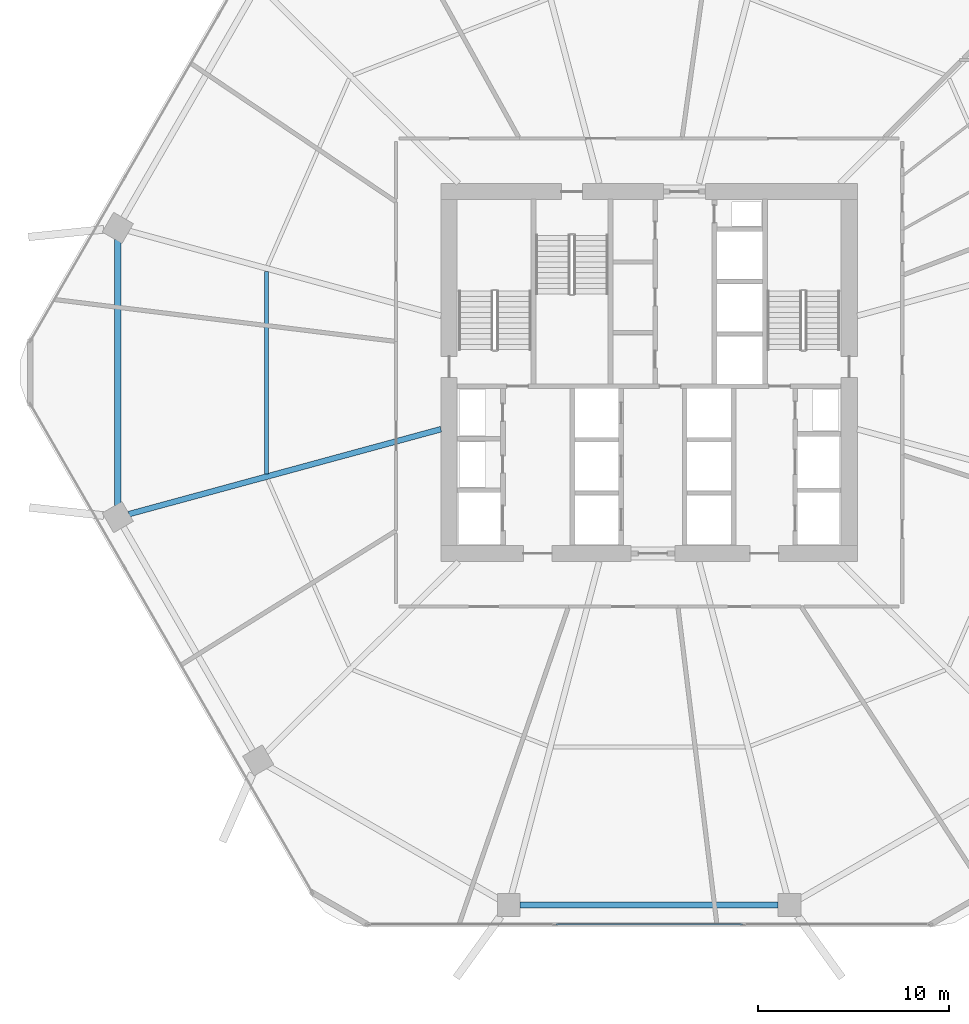
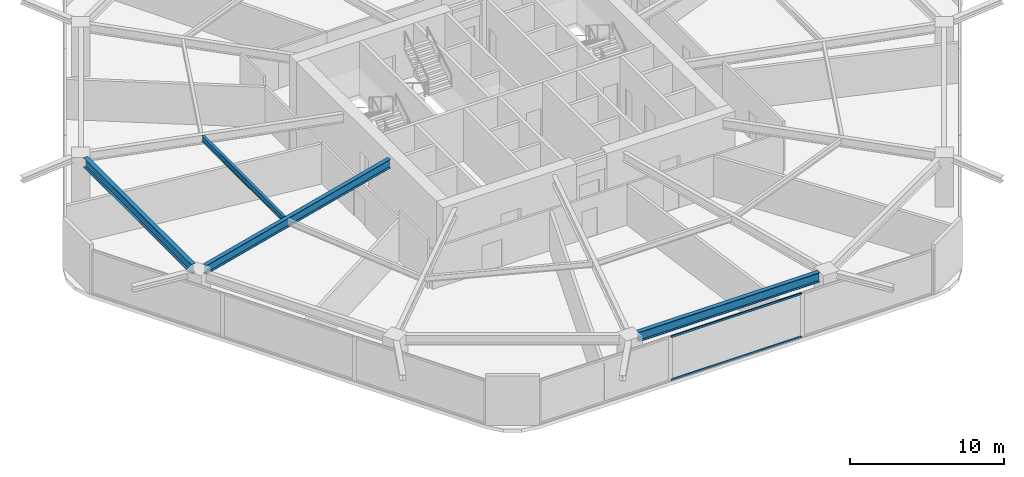
# One storey, part 6 of 25: 4 beams, 2 members, 1 element without a shape of its own.
"""IFC4 building model written with IfcOpenShell, lengths in metres."""

import ifcopenshell
import ifcopenshell.guid

model = None  # the IFC model being written
_history = None  # IfcOwnerHistory: only IFC2X3 demands one
_inside = {}  # id of a spatial element -> (the spatial element, [elements in it])
_under = {}  # id of a project, library or spatial element -> (it, [spatial elements below it])
_declared = {}  # id of a project -> (the project, [libraries it declares])
_typed = {}  # id of a type object -> (the type object, [elements of that type])
_made_of = {}  # id of a material, layer set ... -> (it, [elements and type objects made of it])


def new_model(schema):
    """Start an empty IFC model of exactly this schema.

    Asked for "IFC4X3", IfcOpenShell would pick the latest addendum, in which some entities
    have other attributes; the version numbers below select the first issue.
    IFC2X3 requires an IfcOwnerHistory on every rooted entity: one is made here for all.
    """
    global model, _history
    if schema == "IFC4X3":
        model = ifcopenshell.file(schema_version=(4, 3, 0, 0))
    else:
        model = ifcopenshell.file(schema=schema)
    _inside.clear()
    _under.clear()
    _declared.clear()
    _typed.clear()
    _made_of.clear()
    _history = None
    if model.schema == "IFC2X3":
        org = make("IfcOrganization", Name="unknown")
        user = make(
            "IfcPersonAndOrganization",
            ThePerson=make("IfcPerson", FamilyName="unknown"),
            TheOrganization=org,
        )
        app = make(
            "IfcApplication",
            ApplicationDeveloper=org,
            Version="unknown",
            ApplicationFullName="unknown",
            ApplicationIdentifier="unknown",
        )
        _history = make(
            "IfcOwnerHistory",
            OwningUser=user,
            OwningApplication=app,
            ChangeAction="ADDED",
            CreationDate=0,
        )
    return model


def make(cls, **values):
    """One entity of the class cls with the attributes given. An attribute that is None is left unset."""
    return model.create_entity(
        cls, **{name: value for name, value in values.items() if value is not None}
    )


def rooted(cls, **values):
    """An entity with a GlobalId (a new one), such as an element, a storey or a relation."""
    return make(cls, GlobalId=ifcopenshell.guid.new(), OwnerHistory=_history, **values)


def si_unit(unit_type, name, prefix=None):
    """IfcSIUnit, for example si_unit("LENGTHUNIT", "METRE", prefix="MILLI")."""
    return make("IfcSIUnit", UnitType=unit_type, Prefix=prefix, Name=name)


def assignment(units):
    """IfcUnitAssignment: the units of a project."""
    return None if units is None else make("IfcUnitAssignment", Units=units)


def point(xyz):
    """IfcCartesianPoint."""
    return None if xyz is None else make("IfcCartesianPoint", Coordinates=xyz)


def direction(xyz):
    """IfcDirection."""
    return None if xyz is None else make("IfcDirection", DirectionRatios=xyz)


def frame(location, z_axis=None, x_axis=None):
    """IfcAxis2Placement3D, a coordinate frame: its origin and axes. An axis left out is left unset."""
    return make(
        "IfcAxis2Placement3D",
        Location=point(location),
        Axis=direction(z_axis),
        RefDirection=direction(x_axis),
    )


def frame_2d(location, x_axis=None):
    """IfcAxis2Placement2D, a coordinate frame in the plane: its origin and x axis."""
    return make(
        "IfcAxis2Placement2D", Location=point(location), RefDirection=direction(x_axis)
    )


def origin():
    """The frame at (0, 0, 0) with its axes left unset."""
    return frame((0.0, 0.0, 0.0))


def origin_2d():
    """The frame at (0, 0) in the plane with its x axis left unset."""
    return frame_2d((0.0, 0.0))


def place(relative_to, where):
    """IfcLocalPlacement: puts the frame where relative to a parent placement (None: the world)."""
    return make(
        "IfcLocalPlacement", PlacementRelTo=relative_to, RelativePlacement=where
    )


def context(
    kind, dimensions, precision=None, world=None, true_north=None, identifier=None
):
    """IfcGeometricRepresentationContext, for example the 3D "Model" context."""
    return make(
        "IfcGeometricRepresentationContext",
        ContextIdentifier=identifier,
        ContextType=kind,
        CoordinateSpaceDimension=dimensions,
        Precision=precision,
        WorldCoordinateSystem=world,
        TrueNorth=true_north,
    )


def subcontext(parent, identifier, kind, view, scale=None):
    """IfcGeometricRepresentationSubContext, for example "Body" below "Model"."""
    return make(
        "IfcGeometricRepresentationSubContext",
        ContextIdentifier=identifier,
        ContextType=kind,
        ParentContext=parent,
        TargetScale=scale,
        TargetView=view,
    )


def project(units=None, contexts=None):
    """IfcProject with its units and contexts."""
    return rooted(
        "IfcProject",
        Name="project",
        RepresentationContexts=contexts,
        UnitsInContext=assignment(units),
    )


def spatial(cls, under=None, at=None, **own):
    """A site, building, storey or space (cls), placed at a placement, below another one or the project."""
    s = rooted(cls, ObjectPlacement=at, **own)
    if under is not None:
        _under.setdefault(under.id(), (under, []))[1].append(s)
    return s


def profile(cls, at=None, kind="AREA", **sizes):
    """A parametric profile (cls). Its sizes go by their IFC names, for example OverallWidth=200.0."""
    return make(cls, ProfileType=kind, Position=at, **sizes)


def hollow_rectangle(**sizes):
    """IfcRectangleHollowProfileDef."""
    return profile("IfcRectangleHollowProfileDef", **sizes)


def i_section(**sizes):
    """IfcIShapeProfileDef."""
    return profile("IfcIShapeProfileDef", **sizes)


def extrude(swept, where, along, depth):
    """IfcExtrudedAreaSolid: the profile swept, set in the frame where, extruded along a direction by depth."""
    return make(
        "IfcExtrudedAreaSolid",
        SweptArea=swept,
        Position=where,
        ExtrudedDirection=direction(along),
        Depth=depth,
    )


def shape(context_of_items, identifier, shape_type, items):
    """IfcShapeRepresentation: the items that make up one representation, for example the "Body"."""
    return make(
        "IfcShapeRepresentation",
        ContextOfItems=context_of_items,
        RepresentationIdentifier=identifier,
        RepresentationType=shape_type,
        Items=items,
    )


def material(Name=None, Category=None):
    """IfcMaterial."""
    return make("IfcMaterial", Name=Name, Category=Category)


def material_profile(
    of_material, cross_section, Name=None, Category=None, Priority=None
):
    """IfcMaterialProfile: a cross section and its material."""
    return make(
        "IfcMaterialProfile",
        Name=Name,
        Material=of_material,
        Profile=cross_section,
        Priority=Priority,
        Category=Category,
    )


def profile_set(profiles, Name=None, composite=None):
    """IfcMaterialProfileSet."""
    return make(
        "IfcMaterialProfileSet",
        Name=Name,
        MaterialProfiles=profiles,
        CompositeProfile=composite,
    )


def made_of(thing, what):
    """Note that an element or type object is made of a material, layer set ...; save() writes the relation."""
    if what is not None:
        _made_of.setdefault(what.id(), (what, []))[1].append(thing)
    return thing


def type_object(cls, material=None, **own):
    """A type object (cls), such as IfcWallType, which elements share."""
    return made_of(rooted(cls, **own), material)


def element(
    cls,
    number,
    at=None,
    inside=None,
    cuts=None,
    type_object=None,
    material=None,
    context=None,
    identifier="Body",
    shape_type=None,
    held_by="IfcProductDefinitionShape",
    body=None,
    shapes=None,
    **own,
):
    """One element of the class cls, such as IfcWall. Its Tag is "e" and its number.

    at: its placement. inside: the storey or other place that contains it. cuts: it is an
    opening in that element (IfcRelVoidsElement). A single representation is given by context,
    identifier, shape_type and body (its items); several are given by shapes. held_by: the class
    of the entity that holds the representations. save() writes the other relations.
    """
    e = rooted(cls, Tag="e%d" % number, ObjectPlacement=at, **own)
    if body is not None:
        shapes = [shape(context, identifier, shape_type, body)]
    if shapes is not None:
        e.Representation = make(held_by, Representations=shapes)
    if inside is not None:
        _inside.setdefault(inside.id(), (inside, []))[1].append(e)
    if cuts is not None:
        rooted(
            "IfcRelVoidsElement", RelatingBuildingElement=cuts, RelatedOpeningElement=e
        )
    if type_object is not None:
        _typed.setdefault(type_object.id(), (type_object, []))[1].append(e)
    return made_of(e, material)


def aggregate(whole, parts):
    """IfcRelAggregates: a whole, such as a stair, and the parts it consists of."""
    return rooted("IfcRelAggregates", RelatingObject=whole, RelatedObjects=parts)


def save(model, path):
    """Write the relations noted so far, then the file.

    IfcRelAggregates (storeys below a building ...), IfcRelContainedInSpatialStructure (elements
    in a storey), IfcRelDefinesByType, IfcRelAssociatesMaterial and IfcRelDeclares: one each for
    every whole, place, type object, material and project.
    """
    for whole, parts in _under.values():
        aggregate(whole, parts)
    for where, things in _inside.values():
        rooted(
            "IfcRelContainedInSpatialStructure",
            RelatedElements=things,
            RelatingStructure=where,
        )
    for kind, things in _typed.values():
        rooted("IfcRelDefinesByType", RelatedObjects=things, RelatingType=kind)
    for what, things in _made_of.values():
        rooted("IfcRelAssociatesMaterial", RelatedObjects=things, RelatingMaterial=what)
    for by, libraries in _declared.values():
        rooted("IfcRelDeclares", RelatingContext=by, RelatedDefinitions=libraries)
    model.write(path)


model = new_model("IFC4")

# Units and contexts
model_context = context("Model", 3, precision=1e-05, world=origin(), true_north=direction((0.0, 1.0)))
body_context = subcontext(model_context, "Body", "Model", "MODEL_VIEW")
ifc_project = project(units=[si_unit("LENGTHUNIT", "METRE"), si_unit("AREAUNIT", "SQUARE_METRE"), si_unit("VOLUMEUNIT", "CUBIC_METRE"), si_unit("PLANEANGLEUNIT", "RADIAN"), si_unit("MASSUNIT", "GRAM", prefix="KILO")], contexts=[model_context])

# Site, building, storey
site_placement = place(None, origin())
site = spatial("IfcSite", under=ifc_project, at=site_placement, CompositionType="ELEMENT")
building_placement = place(site_placement, origin())
building = spatial("IfcBuilding", under=site, at=building_placement, Name="Zuhravey Tower", CompositionType="ELEMENT")
storey_placement = place(building_placement, frame((0.0, 0.0, 20.39990234375)))
storey = spatial("IfcBuildingStorey", under=building, at=storey_placement, Name="L05", CompositionType="ELEMENT", Elevation=20.39990234375)

# Curtain wall, members
ifc_material_1 = material(Name="Thermally broken anodised aluminium", Category="aluminium")
curtain_wall_type = type_object("IfcCurtainWallType", Name="School Low-E Unitised Curtain Wall CW1", PredefinedType="NOTDEFINED", material=ifc_material_1)
curtain_wall_placement = place(storey_placement, origin())
curtain_wall = element("IfcCurtainWall", 1, at=curtain_wall_placement, inside=storey, type_object=curtain_wall_type, Name="L05 CW1 CW-L05-F5-1", PredefinedType="NOTDEFINED")
ifc_material_2 = material(Name="Anodised aluminium", Category="aluminium")
ifc_material_profile_1 = material_profile(ifc_material_2, hollow_rectangle(XDim=0.090087890625, YDim=0.14990234375, WallThickness=0.0048828125, at=origin_2d()), Name="ALU-RHS-90x150x5")
ifc_profile_set_1 = profile_set([ifc_material_profile_1], Name="Anodised aluminium")
member_type = type_object("IfcMemberType", Name="Curtain-Wall Transom 90x150", PredefinedType="USERDEFINED", material=ifc_profile_set_1)
member_1_placement = place(storey_placement, frame((40.88818359375, 3.04150390625, 0.045166015625), z_axis=(-1.0, 0.0, 0.0), x_axis=(0.0, -1.0, 0.0)))
member_1 = element("IfcMember", 2, at=member_1_placement, type_object=member_type, Name="CW1 transom 2.1", ObjectType="TRANSOM", PredefinedType="USERDEFINED", context=body_context, shape_type="SweptSolid", body=[
    extrude(hollow_rectangle(XDim=0.090087890625, YDim=0.14990234375, WallThickness=0.0048828125, at=origin_2d()), origin(), (0.0, 0.0, 1.0), 9.7763671875),
])
member_2_placement = place(storey_placement, frame((40.88818359375, 3.04150390625, 3.447021484375), z_axis=(-1.0, 0.0, 0.0), x_axis=(0.0, -1.0, 0.0)))
member_2 = element("IfcMember", 3, at=member_2_placement, type_object=member_type, Name="CW1 transom 2.2", ObjectType="TRANSOM", PredefinedType="USERDEFINED", context=body_context, shape_type="SweptSolid", body=[
    extrude(hollow_rectangle(XDim=0.090087890625, YDim=0.14990234375, WallThickness=0.0048828125, at=origin_2d()), origin(), (0.0, 0.0, 1.0), 9.7763671875),
])
aggregate(curtain_wall, [member_1, member_2])

# Beams
ifc_material_3 = material(Name="Steel SM355", Category="steel")
ifc_material_profile_2 = material_profile(ifc_material_3, i_section(OverallWidth=0.320068359375, OverallDepth=0.75, WebThickness=0.013916015625, FlangeThickness=0.02490234375, at=origin_2d()), Name="H-750x320x14x25")
ifc_profile_set_2 = profile_set([ifc_material_profile_2], Name="Steel SM355")
beam_type_1 = type_object("IfcBeamType", Name="Perimeter Ring Beam H750x320", PredefinedType="BEAM", material=ifc_profile_set_2)
beam_1_placement = place(storey_placement, frame((8.11083984375, 38.988525390625, 3.545166015625), z_axis=(0.0, -1.0, 0.0), x_axis=(1.0, 0.0, 0.0)))
element("IfcBeam", 4, at=beam_1_placement, inside=storey, type_object=beam_type_1, Name="L05 PB1 BM-L05-PB-06", PredefinedType="BEAM", context=body_context, shape_type="SweptSolid", body=[
    extrude(i_section(OverallWidth=0.320068359375, OverallDepth=0.75, WebThickness=0.013916015625, FlangeThickness=0.02490234375, at=origin_2d()), origin(), (0.0, 0.0, 1.0), 13.97705078125),
])
beam_2_placement = place(storey_placement, frame((29.23291015625, 4.051513671875, 3.545166015625), z_axis=(1.0, 0.0, 0.0), x_axis=(0.0, 1.0, 0.0)))
element("IfcBeam", 5, at=beam_2_placement, inside=storey, type_object=beam_type_1, Name="L05 PB1 BM-L05-PB-09", PredefinedType="BEAM", context=body_context, shape_type="SweptSolid", body=[
    extrude(i_section(OverallWidth=0.320068359375, OverallDepth=0.75, WebThickness=0.013916015625, FlangeThickness=0.02490234375, at=origin_2d()), origin(), (0.0, 0.0, 1.0), 13.5341796875),
])
ifc_material_profile_3 = material_profile(ifc_material_3, i_section(OverallWidth=0.300048828125, OverallDepth=0.699951171875, WebThickness=0.012939453125, FlangeThickness=0.02392578125, at=origin_2d()), Name="H-700x300x13x24")
ifc_profile_set_3 = profile_set([ifc_material_profile_3], Name="Steel SM355")
beam_type_2 = type_object("IfcBeamType", Name="Radial Primary Girder H700x300", PredefinedType="BEAM", material=ifc_profile_set_3)
beam_3_placement = place(storey_placement, frame((25.072021484375, 29.025390625, 3.570068359375), z_axis=(-0.964892480455, -0.26264520015, 0.0), x_axis=(0.26264520015, -0.964892480455, 0.0)))
element("IfcBeam", 6, at=beam_3_placement, inside=storey, type_object=beam_type_2, Name="L05 RG1 BM-L05-RAD-07", PredefinedType="BEAM", context=body_context, shape_type="SweptSolid", body=[
    extrude(i_section(OverallWidth=0.300048828125, OverallDepth=0.699951171875, WebThickness=0.012939453125, FlangeThickness=0.02392578125, at=origin_2d()), origin(), (0.0, 0.0, 1.0), 16.975341796875),
])
ifc_material_profile_4 = material_profile(ifc_material_3, i_section(OverallWidth=0.199951171875, OverallDepth=0.449951171875, WebThickness=0.009033203125, FlangeThickness=0.013916015625, at=origin_2d()), Name="H-450x200x9x14")
ifc_profile_set_4 = profile_set([ifc_material_profile_4], Name="Steel SM355")
beam_type_3 = type_object("IfcBeamType", Name="Secondary Floor Joist H450x200", PredefinedType="JOIST", material=ifc_profile_set_4)
beam_4_placement = place(storey_placement, frame((15.9130859375, 37.313720703125, 3.695068359375), z_axis=(0.0, -1.0, 0.0), x_axis=(1.0, 0.0, 0.0)))
element("IfcBeam", 7, at=beam_4_placement, inside=storey, type_object=beam_type_3, Name="L05 SJ1 BM-L05-SJ-06-1", PredefinedType="JOIST", context=body_context, shape_type="SweptSolid", body=[
    extrude(i_section(OverallWidth=0.199951171875, OverallDepth=0.449951171875, WebThickness=0.009033203125, FlangeThickness=0.013916015625, at=origin_2d()), origin(), (0.0, 0.0, 1.0), 10.62744140625),
])

save(model, "model.ifc")
